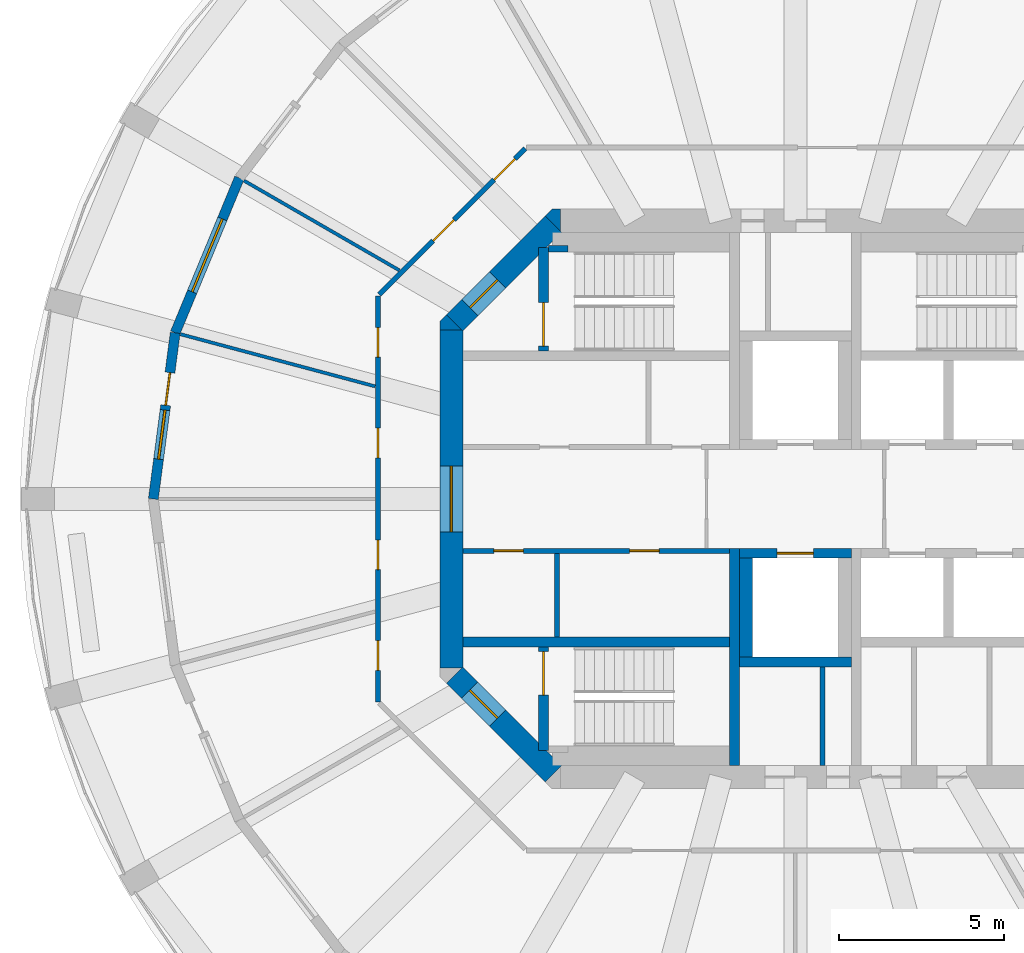
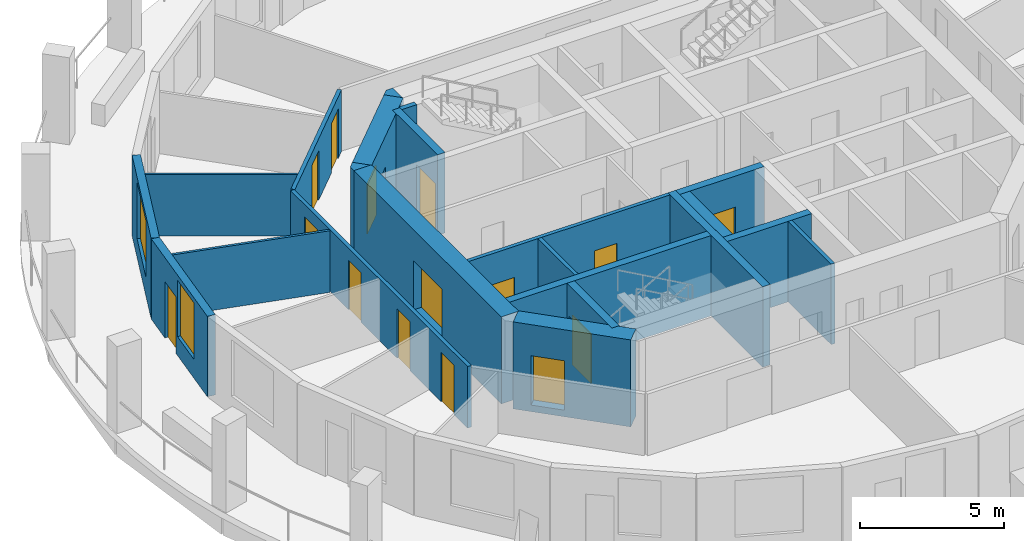
# One storey, part 3 of 8: 22 walls, 15 doors, 2 windows, 17 openings.
"""IFC4 building model written with IfcOpenShell, lengths in metres."""

from ifc_helpers import new_model, si_unit, direction, frame, frame_2d, origin, place, context, subcontext, project, spatial, polyline, rectangle, outline, extrude, material, layer, layer_set, type_object, element, fill, save


model = new_model("IFC4")

# Units and contexts
model_context = context("Model", 3, precision=1e-05, world=origin(), true_north=direction((0.0, 1.0)))
body_context = subcontext(model_context, "Body", "Model", "MODEL_VIEW")
ifc_project = project(units=[si_unit("LENGTHUNIT", "METRE"), si_unit("AREAUNIT", "SQUARE_METRE"), si_unit("VOLUMEUNIT", "CUBIC_METRE"), si_unit("PLANEANGLEUNIT", "RADIAN"), si_unit("MASSUNIT", "GRAM", prefix="KILO")], contexts=[model_context])

# Site, building, storey
site_placement = place(None, origin())
site = spatial("IfcSite", under=ifc_project, at=site_placement, CompositionType="ELEMENT")
building_placement = place(site_placement, origin())
building = spatial("IfcBuilding", under=site, at=building_placement, Name="Torre Triforio", CompositionType="ELEMENT")
storey_placement = place(building_placement, frame((0.0, 0.0, 196.5)))
storey = spatial("IfcBuildingStorey", under=building, at=storey_placement, Name="L44", CompositionType="ELEMENT", Elevation=196.5)

# Wall
ifc_material_1 = material(Name="Concrete C50", Category="concrete")
ifc_layer_1 = layer(ifc_material_1, 0.300048828125)
ifc_layer_set_1 = layer_set([ifc_layer_1], Name="Concrete C50")
wall_type_1 = type_object("IfcWallType", Name="Core wall 300 mm C50 EI 120", PredefinedType="SHEAR", material=ifc_layer_set_1)
wall_1_placement = place(storey_placement, frame((-1.85009765625, -8.10009765625, 0.0), z_axis=(0.0, 0.0, 1.0), x_axis=(0.0, 1.0, 0.0)))
element("IfcWall", 1, at=wall_1_placement, inside=storey, type_object=wall_type_1, Name="Core wall", PredefinedType="SHEAR", context=body_context, shape_type="SweptSolid", body=[
    extrude(rectangle(XDim=6.60009765625, YDim=0.300048828125, at=frame_2d((3.300048828125, 0.0))), origin(), (0.0, 0.0, 1.0), 3.419921875),
])

# Wall, opening, door
ifc_layer_2 = layer(ifc_material_1, 0.699951171875)
ifc_layer_set_2 = layer_set([ifc_layer_2], Name="Concrete C50")
wall_type_2 = type_object("IfcWallType", Name="Core wall 700 mm C50 EI 120", PredefinedType="SHEAR", material=ifc_layer_set_2)
wall_2_placement = place(storey_placement, frame((-10.449951171875, -5.1298828125, -0.280029296875), z_axis=(0.0, 0.0, 1.0), x_axis=(0.0, 1.0, 0.0)))
wall_2 = element("IfcWall", 2, at=wall_2_placement, inside=storey, type_object=wall_type_2, Name="Core wall", PredefinedType="SHEAR", context=body_context, shape_type="SweptSolid", body=[
    extrude(rectangle(XDim=10.259765625, YDim=0.699951171875, at=frame_2d((5.1298828125, 0.0))), origin(), (0.0, 0.0, 1.0), 3.699951171875),
])
opening_1_placement = place(wall_2_placement, frame((4.1298828125, 0.0, 0.280029296875)))
opening_1 = element("IfcOpeningElement", 3, at=opening_1_placement, cuts=wall_2, Name="Opening W-RING", PredefinedType="OPENING", context=body_context, shape_type="SweptSolid", body=[
    extrude(rectangle(XDim=2.0, YDim=2.10009765625, at=frame_2d((1.0, 1.050048828125))), frame((0.0, 0.35986328125, 0.0), z_axis=(0.0, -1.0, 0.0), x_axis=(1.0, 0.0, 0.0)), (0.0, 0.0, 1.0), 0.719970703125),
])
ifc_material_2 = material(Name="Hollow metal fire door leaf")
door_type_1 = type_object("IfcDoorType", Name="Lobby door 2000 x 2100 EI 60", OperationType="DOUBLE_DOOR_SINGLE_SWING", PredefinedType="DOOR", material=ifc_material_2)
door_1_placement = place(opening_1_placement, origin())
door_1 = element("IfcDoor", 4, at=door_1_placement, inside=storey, type_object=door_type_1, Name="Core door W-RING", OperationType="DOUBLE_DOOR_SINGLE_SWING", OverallHeight=2.10009765625, OverallWidth=2.0, PredefinedType="DOOR", context=body_context, shape_type="SweptSolid", body=[
    extrude(rectangle(XDim=2.0, YDim=2.10009765625, at=frame_2d((1.0, 1.050048828125))), frame((0.0, 0.02490234375, 0.0), z_axis=(0.0, -1.0, 0.0), x_axis=(1.0, 0.0, 0.0)), (0.0, 0.0, 1.0), 0.050048828125),
])
fill(opening_1, door_1)

wall_3_placement = place(storey_placement, frame((-10.347412109375, 5.347412109375, -0.280029296875), z_axis=(0.0, 0.0, 1.0), x_axis=(0.707106781187, 0.707106781187, 0.0)))
wall_3 = element("IfcWall", 5, at=wall_3_placement, inside=storey, type_object=wall_type_2, Name="Core wall", PredefinedType="SHEAR", context=body_context, shape_type="SweptSolid", body=[
    extrude(rectangle(XDim=4.24267578125, YDim=0.699951171875, at=frame_2d((2.121337890625, 0.0))), origin(), (0.0, 0.0, 1.0), 3.699951171875),
])
opening_2_placement = place(wall_3_placement, frame((0.64990234375, 0.0, 0.280029296875)))
opening_2 = element("IfcOpeningElement", 6, at=opening_2_placement, cuts=wall_3, Name="Opening ST1-EXIT", PredefinedType="OPENING", context=body_context, shape_type="SweptSolid", body=[
    extrude(rectangle(XDim=1.199951171875, YDim=2.10009765625, at=frame_2d((0.60009765625, 1.050048828125))), frame((0.0, 0.35986328125, 0.0), z_axis=(0.0, -1.0, 0.0), x_axis=(1.0, 0.0, 0.0)), (0.0, 0.0, 1.0), 0.719970703125),
])
door_type_2 = type_object("IfcDoorType", Name="Stair lobby door 1200 x 2100 EI 60", OperationType="NOTDEFINED", PredefinedType="DOOR", material=ifc_material_2)
door_2_placement = place(opening_2_placement, origin())
door_2 = element("IfcDoor", 7, at=door_2_placement, inside=storey, type_object=door_type_2, Name="Core door ST1-EXIT", OperationType="SINGLE_SWING_RIGHT", OverallHeight=2.10009765625, OverallWidth=1.199951171875, PredefinedType="DOOR", context=body_context, shape_type="SweptSolid", body=[
    extrude(rectangle(XDim=1.199951171875, YDim=2.10009765625, at=frame_2d((0.60009765625, 1.050048828125))), frame((0.0, 0.02490234375, 0.0), z_axis=(0.0, -1.0, 0.0), x_axis=(1.0, 0.0, 0.0)), (0.0, 0.0, 1.0), 0.050048828125),
])
fill(opening_2, door_2)

wall_4_placement = place(storey_placement, frame((-7.347412109375, -8.347412109375, -0.280029296875), z_axis=(0.0, 0.0, 1.0), x_axis=(-0.707106781187, 0.707106781187, 0.0)))
wall_4 = element("IfcWall", 8, at=wall_4_placement, inside=storey, type_object=wall_type_2, Name="Core wall", PredefinedType="SHEAR", context=body_context, shape_type="SweptSolid", body=[
    extrude(rectangle(XDim=4.24267578125, YDim=0.699951171875, at=frame_2d((2.121337890625, 0.0))), origin(), (0.0, 0.0, 1.0), 3.699951171875),
])
opening_3_placement = place(wall_4_placement, frame((2.392578125, 0.0, 0.280029296875)))
opening_3 = element("IfcOpeningElement", 9, at=opening_3_placement, cuts=wall_4, Name="Opening ST3-EXIT", PredefinedType="OPENING", context=body_context, shape_type="SweptSolid", body=[
    extrude(rectangle(XDim=1.199951171875, YDim=2.10009765625, at=frame_2d((0.60009765625, 1.050048828125))), frame((0.0, 0.35986328125, 0.0), z_axis=(0.0, -1.0, 0.0), x_axis=(1.0, 0.0, 0.0)), (0.0, 0.0, 1.0), 0.719970703125),
])
door_3_placement = place(opening_3_placement, origin())
door_3 = element("IfcDoor", 10, at=door_3_placement, inside=storey, type_object=door_type_2, Name="Core door ST3-EXIT", OperationType="SINGLE_SWING_RIGHT", OverallHeight=2.10009765625, OverallWidth=1.199951171875, PredefinedType="DOOR", context=body_context, shape_type="SweptSolid", body=[
    extrude(rectangle(XDim=1.199951171875, YDim=2.10009765625, at=frame_2d((0.60009765625, 1.050048828125))), frame((0.0, 0.02490234375, 0.0), z_axis=(0.0, -1.0, 0.0), x_axis=(1.0, 0.0, 0.0)), (0.0, 0.0, 1.0), 0.050048828125),
])
fill(opening_3, door_3)

# Walls
wall_5_placement = place(storey_placement, frame((0.0, 0.0, -0.280029296875)))
element("IfcWall", 11, at=wall_5_placement, inside=storey, type_object=wall_type_2, Name="Core wall", PredefinedType="SHEAR", context=body_context, shape_type="SweptSolid", body=[
    extrude(outline(polyline([(-10.594970703125, 5.594970703125), (-10.594970703125, 5.594970703125), (-10.594970703125, 5.594970703125), (-10.1298828125, 5.1298828125), (-10.800048828125, 5.1298828125), (-10.800048828125, 5.1298828125), (-10.800048828125, 5.389892578125), (-10.594970703125, 5.594970703125)])), origin(), (0.0, 0.0, 1.0), 3.699951171875),
])
wall_6_placement = place(storey_placement, frame((0.0, 0.0, -0.280029296875)))
element("IfcWall", 12, at=wall_6_placement, inside=storey, type_object=wall_type_2, Name="Core wall", PredefinedType="SHEAR", context=body_context, shape_type="SweptSolid", body=[
    extrude(outline(polyline([(-7.389892578125, 8.800048828125), (-7.1298828125, 8.800048828125), (-7.1298828125, 8.800048828125), (-7.1298828125, 8.1298828125), (-7.594970703125, 8.594970703125), (-7.594970703125, 8.594970703125), (-7.594970703125, 8.594970703125), (-7.389892578125, 8.800048828125)])), origin(), (0.0, 0.0, 1.0), 3.699951171875),
])

# Wall, openings, doors
ifc_material_3 = material(Name="Plasterboard on metal studs")
ifc_layer_3 = layer(ifc_material_3, 0.14990234375)
ifc_layer_set_3 = layer_set([ifc_layer_3], Name="Plasterboard on metal studs")
wall_type_3 = type_object("IfcWallType", Name="Corridor and tenancy wall 150 mm EI 60", PredefinedType="PARTITIONING", material=ifc_layer_set_3)
wall_7_placement = place(storey_placement, frame((-12.675048828125, -6.16650390625, 0.0), z_axis=(0.0, 0.0, 1.0), x_axis=(0.0, 1.0, 0.0)))
wall_7 = element("IfcWall", 13, at=wall_7_placement, inside=storey, type_object=wall_type_3, Name="Partition 5", PredefinedType="PARTITIONING", context=body_context, shape_type="SweptSolid", body=[
    extrude(rectangle(XDim=12.3330078125, YDim=0.14990234375, at=frame_2d((6.16650390625, 0.0))), origin(), (0.0, 0.0, 1.0), 2.6201171875),
])
opening_4_placement = place(wall_7_placement, frame((10.47314453125, 0.0, 0.0)))
opening_4 = element("IfcOpeningElement", 14, at=opening_4_placement, cuts=wall_7, Name="Opening O4-04", PredefinedType="OPENING", context=body_context, shape_type="SweptSolid", body=[
    extrude(rectangle(XDim=0.89990234375, YDim=2.10009765625, at=frame_2d((0.449951171875, 1.050048828125))), frame((0.0, 0.0849609375, 0.0), z_axis=(0.0, -1.0, 0.0), x_axis=(1.0, 0.0, 0.0)), (0.0, 0.0, 1.0), 0.169921875),
])
opening_5_placement = place(wall_7_placement, frame((7.41552734375, 0.0, 0.0)))
opening_5 = element("IfcOpeningElement", 15, at=opening_5_placement, cuts=wall_7, Name="Opening O4-05", PredefinedType="OPENING", context=body_context, shape_type="SweptSolid", body=[
    extrude(rectangle(XDim=0.89990234375, YDim=2.10009765625, at=frame_2d((0.449951171875, 1.050048828125))), frame((0.0, 0.0849609375, 0.0), z_axis=(0.0, -1.0, 0.0), x_axis=(1.0, 0.0, 0.0)), (0.0, 0.0, 1.0), 0.169921875),
])
opening_6_placement = place(wall_7_placement, frame((4.017578125, 0.0, 0.0)))
opening_6 = element("IfcOpeningElement", 16, at=opening_6_placement, cuts=wall_7, Name="Opening O4-06", PredefinedType="OPENING", context=body_context, shape_type="SweptSolid", body=[
    extrude(rectangle(XDim=0.89990234375, YDim=2.10009765625, at=frame_2d((0.449951171875, 1.050048828125))), frame((0.0, 0.0849609375, 0.0), z_axis=(0.0, -1.0, 0.0), x_axis=(1.0, 0.0, 0.0)), (0.0, 0.0, 1.0), 0.169921875),
])
opening_7_placement = place(wall_7_placement, frame((0.960205078125, 0.0, 0.0)))
opening_7 = element("IfcOpeningElement", 17, at=opening_7_placement, cuts=wall_7, Name="Opening O4-07", PredefinedType="OPENING", context=body_context, shape_type="SweptSolid", body=[
    extrude(rectangle(XDim=0.89990234375, YDim=2.10009765625, at=frame_2d((0.449951171875, 1.050048828125))), frame((0.0, 0.0849609375, 0.0), z_axis=(0.0, -1.0, 0.0), x_axis=(1.0, 0.0, 0.0)), (0.0, 0.0, 1.0), 0.169921875),
])
ifc_material_4 = material(Name="Timber", Category="wood")
door_type_3 = type_object("IfcDoorType", Name="Door 900 x 2100 single leaf EI 30", OperationType="NOTDEFINED", PredefinedType="DOOR", material=ifc_material_4)
door_4_placement = place(opening_4_placement, origin())
door_4 = element("IfcDoor", 18, at=door_4_placement, inside=storey, type_object=door_type_3, Name="Door O4-04", OperationType="SINGLE_SWING_LEFT", OverallHeight=2.10009765625, OverallWidth=0.89990234375, PredefinedType="DOOR", context=body_context, shape_type="SweptSolid", body=[
    extrude(rectangle(XDim=0.89990234375, YDim=2.10009765625, at=frame_2d((0.449951171875, 1.050048828125))), frame((0.0, 0.02490234375, 0.0), z_axis=(0.0, -1.0, 0.0), x_axis=(1.0, 0.0, 0.0)), (0.0, 0.0, 1.0), 0.050048828125),
])
fill(opening_4, door_4)
door_5_placement = place(opening_5_placement, origin())
door_5 = element("IfcDoor", 19, at=door_5_placement, inside=storey, type_object=door_type_3, Name="Door O4-05", OperationType="SINGLE_SWING_LEFT", OverallHeight=2.10009765625, OverallWidth=0.89990234375, PredefinedType="DOOR", context=body_context, shape_type="SweptSolid", body=[
    extrude(rectangle(XDim=0.89990234375, YDim=2.10009765625, at=frame_2d((0.449951171875, 1.050048828125))), frame((0.0, 0.02490234375, 0.0), z_axis=(0.0, -1.0, 0.0), x_axis=(1.0, 0.0, 0.0)), (0.0, 0.0, 1.0), 0.050048828125),
])
fill(opening_5, door_5)
door_6_placement = place(opening_6_placement, origin())
door_6 = element("IfcDoor", 20, at=door_6_placement, inside=storey, type_object=door_type_3, Name="Door O4-06", OperationType="SINGLE_SWING_LEFT", OverallHeight=2.10009765625, OverallWidth=0.89990234375, PredefinedType="DOOR", context=body_context, shape_type="SweptSolid", body=[
    extrude(rectangle(XDim=0.89990234375, YDim=2.10009765625, at=frame_2d((0.449951171875, 1.050048828125))), frame((0.0, 0.02490234375, 0.0), z_axis=(0.0, -1.0, 0.0), x_axis=(1.0, 0.0, 0.0)), (0.0, 0.0, 1.0), 0.050048828125),
])
fill(opening_6, door_6)
door_7_placement = place(opening_7_placement, origin())
door_7 = element("IfcDoor", 21, at=door_7_placement, inside=storey, type_object=door_type_3, Name="Door O4-07", OperationType="SINGLE_SWING_LEFT", OverallHeight=2.10009765625, OverallWidth=0.89990234375, PredefinedType="DOOR", context=body_context, shape_type="SweptSolid", body=[
    extrude(rectangle(XDim=0.89990234375, YDim=2.10009765625, at=frame_2d((0.449951171875, 1.050048828125))), frame((0.0, 0.02490234375, 0.0), z_axis=(0.0, -1.0, 0.0), x_axis=(1.0, 0.0, 0.0)), (0.0, 0.0, 1.0), 0.050048828125),
])
fill(opening_7, door_7)

wall_8_placement = place(storey_placement, frame((-12.637939453125, 6.20361328125, 0.0), z_axis=(0.0, 0.0, 1.0), x_axis=(0.707106781187, 0.707106781187, 0.0)))
wall_8 = element("IfcWall", 22, at=wall_8_placement, inside=storey, type_object=wall_type_3, Name="Partition 6", PredefinedType="PARTITIONING", context=body_context, shape_type="SweptSolid", body=[
    extrude(rectangle(XDim=6.27099609375, YDim=0.14990234375, at=frame_2d((3.135498046875, 0.0))), origin(), (0.0, 0.0, 1.0), 2.6201171875),
])
opening_8_placement = place(wall_8_placement, frame((4.935302734375, 0.0, 0.0)))
opening_8 = element("IfcOpeningElement", 23, at=opening_8_placement, cuts=wall_8, Name="Opening O4-02", PredefinedType="OPENING", context=body_context, shape_type="SweptSolid", body=[
    extrude(rectangle(XDim=0.89990234375, YDim=2.10009765625, at=frame_2d((0.449951171875, 1.050048828125))), frame((0.0, 0.0849609375, 0.0), z_axis=(0.0, -1.0, 0.0), x_axis=(1.0, 0.0, 0.0)), (0.0, 0.0, 1.0), 0.169921875),
])
opening_9_placement = place(wall_8_placement, frame((2.313720703125, 0.0, 0.0)))
opening_9 = element("IfcOpeningElement", 24, at=opening_9_placement, cuts=wall_8, Name="Opening O4-03", PredefinedType="OPENING", context=body_context, shape_type="SweptSolid", body=[
    extrude(rectangle(XDim=0.89990234375, YDim=2.10009765625, at=frame_2d((0.449951171875, 1.050048828125))), frame((0.0, 0.0849609375, 0.0), z_axis=(0.0, -1.0, 0.0), x_axis=(1.0, 0.0, 0.0)), (0.0, 0.0, 1.0), 0.169921875),
])
door_8_placement = place(opening_8_placement, origin())
door_8 = element("IfcDoor", 25, at=door_8_placement, inside=storey, type_object=door_type_3, Name="Door O4-02", OperationType="SINGLE_SWING_LEFT", OverallHeight=2.10009765625, OverallWidth=0.89990234375, PredefinedType="DOOR", context=body_context, shape_type="SweptSolid", body=[
    extrude(rectangle(XDim=0.89990234375, YDim=2.10009765625, at=frame_2d((0.449951171875, 1.050048828125))), frame((0.0, 0.02490234375, 0.0), z_axis=(0.0, -1.0, 0.0), x_axis=(1.0, 0.0, 0.0)), (0.0, 0.0, 1.0), 0.050048828125),
])
fill(opening_8, door_8)
door_9_placement = place(opening_9_placement, origin())
door_9 = element("IfcDoor", 26, at=door_9_placement, inside=storey, type_object=door_type_3, Name="Door O4-03", OperationType="SINGLE_SWING_LEFT", OverallHeight=2.10009765625, OverallWidth=0.89990234375, PredefinedType="DOOR", context=body_context, shape_type="SweptSolid", body=[
    extrude(rectangle(XDim=0.89990234375, YDim=2.10009765625, at=frame_2d((0.449951171875, 1.050048828125))), frame((0.0, 0.02490234375, 0.0), z_axis=(0.0, -1.0, 0.0), x_axis=(1.0, 0.0, 0.0)), (0.0, 0.0, 1.0), 0.050048828125),
])
fill(opening_9, door_9)

# Walls
ifc_layer_4 = layer(ifc_material_3, 0.10009765625)
ifc_layer_set_4 = layer_set([ifc_layer_4], Name="Plasterboard on metal studs")
wall_type_4 = type_object("IfcWallType", Name="Partition 100 mm board on metal studs", PredefinedType="PARTITIONING", material=ifc_layer_set_4)
wall_9_placement = place(storey_placement, frame((-12.025146484375, 6.94287109375, 0.0), z_axis=(0.0, 0.0, 1.0), x_axis=(-0.866029712004, 0.499992537871, 0.0)))
element("IfcWall", 27, at=wall_9_placement, inside=storey, type_object=wall_type_4, Name="Partition 16", PredefinedType="PARTITIONING", context=body_context, shape_type="SweptSolid", body=[
    extrude(rectangle(XDim=5.451171875, YDim=0.10009765625, at=frame_2d((2.7255859375, 0.0))), origin(), (0.0, 0.0, 1.0), 2.6201171875),
])
wall_10_placement = place(storey_placement, frame((-12.764404296875, 3.420166015625, 0.0), z_axis=(0.0, 0.0, 1.0), x_axis=(-0.965925800266, 0.258819142221, 0.0)))
element("IfcWall", 28, at=wall_10_placement, inside=storey, type_object=wall_type_4, Name="Partition 17", PredefinedType="PARTITIONING", context=body_context, shape_type="SweptSolid", body=[
    extrude(rectangle(XDim=6.121826171875, YDim=0.10009765625, at=frame_2d((3.06103515625, 0.0))), origin(), (0.0, 0.0, 1.0), 2.6201171875),
])
ifc_material_5 = material(Name="Block and board partition")
ifc_layer_5 = layer(ifc_material_5, 0.14990234375)
ifc_layer_set_5 = layer_set([ifc_layer_5], Name="Block and board partition")
wall_type_5 = type_object("IfcWallType", Name="Partition 150 mm", PredefinedType="PARTITIONING", material=ifc_layer_set_5)
wall_11_placement = place(storey_placement, frame((-7.242431640625, -4.199951171875, 0.0), z_axis=(0.0, 0.0, 1.0), x_axis=(0.0, 1.0, 0.0)))
element("IfcWall", 29, at=wall_11_placement, inside=storey, type_object=wall_type_5, Name="Partition", PredefinedType="PARTITIONING", context=body_context, shape_type="SweptSolid", body=[
    extrude(rectangle(XDim=2.550048828125, YDim=0.14990234375, at=frame_2d((1.27490234375, 0.0))), origin(), (0.0, 0.0, 1.0), 3.419921875),
])
ifc_layer_6 = layer(ifc_material_5, 0.14990234375)
ifc_layer_set_6 = layer_set([ifc_layer_6], Name="Block and board partition")
wall_type_6 = type_object("IfcWallType", Name="Partition 150 mm EI 120", PredefinedType="PARTITIONING", material=ifc_layer_set_6)
wall_12_placement = place(storey_placement, frame((0.824951171875, -8.10009765625, 0.0), z_axis=(0.0, 0.0, 1.0), x_axis=(0.0, 1.0, 0.0)))
element("IfcWall", 30, at=wall_12_placement, inside=storey, type_object=wall_type_6, Name="Partition", PredefinedType="PARTITIONING", context=body_context, shape_type="SweptSolid", body=[
    extrude(rectangle(XDim=3.0, YDim=0.14990234375, at=frame_2d((1.5, 0.0))), origin(), (0.0, 0.0, 1.0), 3.419921875),
])

# Wall, openings, doors
wall_13_placement = place(storey_placement, frame((-10.10009765625, -1.574951171875, 0.0), z_axis=(0.0, 0.0, 1.0), x_axis=(1.0, 0.0, 0.0)))
wall_13 = element("IfcWall", 31, at=wall_13_placement, inside=storey, type_object=wall_type_6, Name="Partition", PredefinedType="PARTITIONING", context=body_context, shape_type="SweptSolid", body=[
    extrude(rectangle(XDim=8.10009765625, YDim=0.14990234375, at=frame_2d((4.050048828125, 0.0))), origin(), (0.0, 0.0, 1.0), 3.419921875),
])
opening_10_placement = place(wall_13_placement, frame((0.941162109375, 0.0, 0.0)))
opening_10 = element("IfcOpeningElement", 32, at=opening_10_placement, cuts=wall_13, Name="Opening FS-01", PredefinedType="OPENING", context=body_context, shape_type="SweptSolid", body=[
    extrude(rectangle(XDim=0.89990234375, YDim=2.10009765625, at=frame_2d((0.449951171875, 1.050048828125))), frame((0.0, 0.0849609375, 0.0), z_axis=(0.0, -1.0, 0.0), x_axis=(1.0, 0.0, 0.0)), (0.0, 0.0, 1.0), 0.169921875),
])
opening_11_placement = place(wall_13_placement, frame((5.066162109375, 0.0, 0.0)))
opening_11 = element("IfcOpeningElement", 33, at=opening_11_placement, cuts=wall_13, Name="Opening FS-02", PredefinedType="OPENING", context=body_context, shape_type="SweptSolid", body=[
    extrude(rectangle(XDim=0.89990234375, YDim=2.10009765625, at=frame_2d((0.449951171875, 1.050048828125))), frame((0.0, 0.0849609375, 0.0), z_axis=(0.0, -1.0, 0.0), x_axis=(1.0, 0.0, 0.0)), (0.0, 0.0, 1.0), 0.169921875),
])
door_type_4 = type_object("IfcDoorType", Name="Room door 900 x 2100 EI 60", OperationType="NOTDEFINED", PredefinedType="DOOR", material=ifc_material_2)
door_10_placement = place(opening_10_placement, origin())
door_10 = element("IfcDoor", 34, at=door_10_placement, inside=storey, type_object=door_type_4, Name="Core door FS-01", OperationType="SINGLE_SWING_LEFT", OverallHeight=2.10009765625, OverallWidth=0.89990234375, PredefinedType="DOOR", context=body_context, shape_type="SweptSolid", body=[
    extrude(rectangle(XDim=0.89990234375, YDim=2.10009765625, at=frame_2d((0.449951171875, 1.050048828125))), frame((0.0, 0.02490234375, 0.0), z_axis=(0.0, -1.0, 0.0), x_axis=(1.0, 0.0, 0.0)), (0.0, 0.0, 1.0), 0.050048828125),
])
fill(opening_10, door_10)
door_11_placement = place(opening_11_placement, origin())
door_11 = element("IfcDoor", 35, at=door_11_placement, inside=storey, type_object=door_type_4, Name="Core door FS-02", OperationType="SINGLE_SWING_LEFT", OverallHeight=2.10009765625, OverallWidth=0.89990234375, PredefinedType="DOOR", context=body_context, shape_type="SweptSolid", body=[
    extrude(rectangle(XDim=0.89990234375, YDim=2.10009765625, at=frame_2d((0.449951171875, 1.050048828125))), frame((0.0, 0.02490234375, 0.0), z_axis=(0.0, -1.0, 0.0), x_axis=(1.0, 0.0, 0.0)), (0.0, 0.0, 1.0), 0.050048828125),
])
fill(opening_11, door_11)

# Wall
ifc_layer_7 = layer(ifc_material_1, 0.300048828125)
ifc_layer_set_7 = layer_set([ifc_layer_7], Name="Concrete C50")
wall_type_7 = type_object("IfcWallType", Name="Shaft wall 300 mm C50 EI 120", PredefinedType="SOLIDWALL", material=ifc_layer_set_7)
wall_14_placement = place(storey_placement, frame((-10.10009765625, -4.35009765625, 0.0), z_axis=(0.0, 0.0, 1.0), x_axis=(1.0, 0.0, 0.0)))
element("IfcWall", 36, at=wall_14_placement, inside=storey, type_object=wall_type_7, Name="Shaft wall", PredefinedType="SOLIDWALL", context=body_context, shape_type="SweptSolid", body=[
    extrude(rectangle(XDim=8.10009765625, YDim=0.300048828125, at=frame_2d((4.050048828125, 0.0))), origin(), (0.0, 0.0, 1.0), 3.419921875),
])

# Wall, opening, door
wall_15_placement = place(storey_placement, frame((-1.699951171875, -1.64990234375, 0.0), z_axis=(0.0, 0.0, 1.0), x_axis=(1.0, 0.0, 0.0)))
wall_15 = element("IfcWall", 37, at=wall_15_placement, inside=storey, type_object=wall_type_7, Name="Shaft wall", PredefinedType="SOLIDWALL", context=body_context, shape_type="SweptSolid", body=[
    extrude(rectangle(XDim=3.39990234375, YDim=0.300048828125, at=frame_2d((1.699951171875, 0.0))), origin(), (0.0, 0.0, 1.0), 3.419921875),
])
opening_12_placement = place(wall_15_placement, frame((1.14990234375, 0.0, 0.0)))
opening_12 = element("IfcOpeningElement", 38, at=opening_12_placement, cuts=wall_15, Name="Opening LD", PredefinedType="OPENING", context=body_context, shape_type="SweptSolid", body=[
    extrude(rectangle(XDim=1.10009765625, YDim=2.10009765625, at=frame_2d((0.550048828125, 1.050048828125))), frame((0.0, 0.159912109375, 0.0), z_axis=(0.0, -1.0, 0.0), x_axis=(1.0, 0.0, 0.0)), (0.0, 0.0, 1.0), 0.320068359375),
])
door_type_5 = type_object("IfcDoorType", Name="Landing door 1100 x 2100 EI 60", OperationType="DOUBLE_DOOR_SLIDING", PredefinedType="DOOR", material=ifc_material_2)
door_12_placement = place(opening_12_placement, origin())
door_12 = element("IfcDoor", 39, at=door_12_placement, inside=storey, type_object=door_type_5, Name="Landing door FFL2", OperationType="DOUBLE_DOOR_SLIDING", OverallHeight=2.10009765625, OverallWidth=1.10009765625, PredefinedType="DOOR", context=body_context, shape_type="SweptSolid", body=[
    extrude(rectangle(XDim=1.10009765625, YDim=2.10009765625, at=frame_2d((0.550048828125, 1.050048828125))), frame((0.0, 0.02490234375, 0.0), z_axis=(0.0, -1.0, 0.0), x_axis=(1.0, 0.0, 0.0)), (0.0, 0.0, 1.0), 0.050048828125),
])
fill(opening_12, door_12)

# Walls
wall_16_placement = place(storey_placement, frame((-1.699951171875, -4.949951171875, 0.0), z_axis=(0.0, 0.0, 1.0), x_axis=(1.0, 0.0, 0.0)))
element("IfcWall", 40, at=wall_16_placement, inside=storey, type_object=wall_type_7, Name="Shaft wall", PredefinedType="SOLIDWALL", context=body_context, shape_type="SweptSolid", body=[
    extrude(rectangle(XDim=3.39990234375, YDim=0.300048828125, at=frame_2d((1.699951171875, 0.0))), origin(), (0.0, 0.0, 1.0), 3.419921875),
])
ifc_layer_8 = layer(ifc_material_1, 0.39990234375)
ifc_layer_set_8 = layer_set([ifc_layer_8], Name="Concrete C50")
wall_type_8 = type_object("IfcWallType", Name="Shaft wall 400 mm C50 EI 120", PredefinedType="SOLIDWALL", material=ifc_layer_set_8)
wall_17_placement = place(storey_placement, frame((-1.5, -4.800048828125, 0.0), z_axis=(0.0, 0.0, 1.0), x_axis=(0.0, 1.0, 0.0)))
element("IfcWall", 41, at=wall_17_placement, inside=storey, type_object=wall_type_8, Name="Shaft wall", PredefinedType="SOLIDWALL", context=body_context, shape_type="SweptSolid", body=[
    extrude(rectangle(XDim=3.0, YDim=0.39990234375, at=frame_2d((1.5, 0.0))), origin(), (0.0, 0.0, 1.0), 3.419921875),
])
ifc_layer_9 = layer(ifc_material_1, 0.199951171875)
ifc_layer_set_9 = layer_set([ifc_layer_9], Name="Concrete C50")
wall_type_9 = type_object("IfcWallType", Name="Stair wall 200 mm C50 EI 120", PredefinedType="SHEAR", material=ifc_layer_set_9)
wall_18_placement = place(storey_placement, frame((-7.5, 7.60009765625, 0.0), z_axis=(0.0, 0.0, 1.0), x_axis=(1.0, 0.0, 0.0)))
element("IfcWall", 42, at=wall_18_placement, inside=storey, type_object=wall_type_9, Name="Stair wall", PredefinedType="SHEAR", context=body_context, shape_type="SweptSolid", body=[
    extrude(rectangle(XDim=0.60009765625, YDim=0.199951171875, at=frame_2d((0.300048828125, 0.0))), origin(), (0.0, 0.0, 1.0), 3.419921875),
])

# Wall, opening, door
ifc_layer_10 = layer(ifc_material_1, 0.300048828125)
ifc_layer_set_10 = layer_set([ifc_layer_10], Name="Concrete C50")
wall_type_10 = type_object("IfcWallType", Name="Stair wall 300 mm C50 EI 120", PredefinedType="SHEAR", material=ifc_layer_set_10)
wall_19_placement = place(storey_placement, frame((-7.64990234375, 4.5, 0.0), z_axis=(0.0, 0.0, 1.0), x_axis=(0.0, 1.0, 0.0)))
wall_19 = element("IfcWall", 43, at=wall_19_placement, inside=storey, type_object=wall_type_10, Name="Stair wall", PredefinedType="SHEAR", context=body_context, shape_type="SweptSolid", body=[
    extrude(rectangle(XDim=3.139892578125, YDim=0.300048828125, at=frame_2d((1.56982421875, 0.0))), origin(), (0.0, 0.0, 1.0), 3.419921875),
])
opening_13_placement = place(wall_19_placement, frame((0.139892578125, 0.0, 0.0)))
opening_13 = element("IfcOpeningElement", 44, at=opening_13_placement, cuts=wall_19, Name="Opening ST1-STA", PredefinedType="OPENING", context=body_context, shape_type="SweptSolid", body=[
    extrude(rectangle(XDim=1.320068359375, YDim=2.10009765625, at=frame_2d((0.66015625, 1.050048828125))), frame((0.0, 0.159912109375, 0.0), z_axis=(0.0, -1.0, 0.0), x_axis=(1.0, 0.0, 0.0)), (0.0, 0.0, 1.0), 0.320068359375),
])
door_type_6 = type_object("IfcDoorType", Name="Stair door 1320 x 2100 EI 90", OperationType="DOUBLE_DOOR_SINGLE_SWING", PredefinedType="DOOR", material=ifc_material_2)
door_13_placement = place(opening_13_placement, origin())
door_13 = element("IfcDoor", 45, at=door_13_placement, inside=storey, type_object=door_type_6, Name="Core door ST1-ST", OperationType="DOUBLE_DOOR_SINGLE_SWING", OverallHeight=2.10009765625, OverallWidth=1.320068359375, PredefinedType="DOOR", context=body_context, shape_type="SweptSolid", body=[
    extrude(rectangle(XDim=1.320068359375, YDim=2.10009765625, at=frame_2d((0.66015625, 1.050048828125))), frame((0.0, 0.02490234375, 0.0), z_axis=(0.0, -1.0, 0.0), x_axis=(1.0, 0.0, 0.0)), (0.0, 0.0, 1.0), 0.050048828125),
])
fill(opening_13, door_13)

wall_20_placement = place(storey_placement, frame((-7.64990234375, -7.639892578125, 0.0), z_axis=(0.0, 0.0, 1.0), x_axis=(0.0, 1.0, 0.0)))
wall_20 = element("IfcWall", 46, at=wall_20_placement, inside=storey, type_object=wall_type_10, Name="Stair wall", PredefinedType="SHEAR", context=body_context, shape_type="SweptSolid", body=[
    extrude(rectangle(XDim=3.139892578125, YDim=0.300048828125, at=frame_2d((1.56982421875, 0.0))), origin(), (0.0, 0.0, 1.0), 3.419921875),
])
opening_14_placement = place(wall_20_placement, frame((1.679931640625, 0.0, 0.0)))
opening_14 = element("IfcOpeningElement", 47, at=opening_14_placement, cuts=wall_20, Name="Opening ST3-STA", PredefinedType="OPENING", context=body_context, shape_type="SweptSolid", body=[
    extrude(rectangle(XDim=1.320068359375, YDim=2.10009765625, at=frame_2d((0.66015625, 1.050048828125))), frame((0.0, 0.159912109375, 0.0), z_axis=(0.0, -1.0, 0.0), x_axis=(1.0, 0.0, 0.0)), (0.0, 0.0, 1.0), 0.320068359375),
])
door_14_placement = place(opening_14_placement, origin())
door_14 = element("IfcDoor", 48, at=door_14_placement, inside=storey, type_object=door_type_6, Name="Core door ST3-ST", OperationType="DOUBLE_DOOR_SINGLE_SWING", OverallHeight=2.10009765625, OverallWidth=1.320068359375, PredefinedType="DOOR", context=body_context, shape_type="SweptSolid", body=[
    extrude(rectangle(XDim=1.320068359375, YDim=2.10009765625, at=frame_2d((0.66015625, 1.050048828125))), frame((0.0, 0.02490234375, 0.0), z_axis=(0.0, -1.0, 0.0), x_axis=(1.0, 0.0, 0.0)), (0.0, 0.0, 1.0), 0.050048828125),
])
fill(opening_14, door_14)

# Wall, opening, window
ifc_material_6 = material(Name="Limestone cladding", Category="masonry")
ifc_layer_11 = layer(ifc_material_6, 0.10009765625)
ifc_material_7 = material(Name="Concrete C40", Category="concrete")
ifc_layer_12 = layer(ifc_material_7, 0.199951171875)
ifc_layer_set_11 = layer_set([ifc_layer_11, ifc_layer_12], Name="Limestone cladding / Concrete C40")
wall_type_11 = type_object("IfcWallType", Name="Stone-faced composite wall 300", PredefinedType="STANDARD", material=ifc_layer_set_11)
wall_21_placement = place(storey_placement, frame((-16.887451171875, 9.75, 0.0), z_axis=(0.0, 0.0, 1.0), x_axis=(-0.382724538613, -0.923862504675, 0.0)))
wall_21 = element("IfcWall", 49, at=wall_21_placement, inside=storey, type_object=wall_type_11, Name="External wall L44 bay 11", PredefinedType="STANDARD", context=body_context, shape_type="SweptSolid", body=[
    extrude(rectangle(XDim=5.090576171875, YDim=0.300048828125, at=frame_2d((2.54541015625, 0.0))), origin(), (0.0, 0.0, 1.0), 3.419921875),
])
opening_15_placement = place(wall_21_placement, frame((1.34521484375, 0.0, 0.800048828125)))
opening_15 = element("IfcOpeningElement", 50, at=opening_15_placement, cuts=wall_21, Name="Opening O4-W11", PredefinedType="OPENING", context=body_context, shape_type="SweptSolid", body=[
    extrude(rectangle(XDim=2.39990234375, YDim=2.39990234375, at=frame_2d((1.199951171875, 1.199951171875))), frame((0.0, 0.159912109375, 0.0), z_axis=(0.0, -1.0, 0.0), x_axis=(1.0, 0.0, 0.0)), (0.0, 0.0, 1.0), 0.320068359375),
])
ifc_material_8 = material(Name="Aluminium frame with clear double glazing", Category="aluminium")
window_type_1 = type_object("IfcWindowType", Name="Punched window 2400 x 2400", PartitioningType="DOUBLE_PANEL_VERTICAL", PredefinedType="WINDOW", material=ifc_material_8)
window_1_placement = place(opening_15_placement, origin())
window_1 = element("IfcWindow", 51, at=window_1_placement, inside=storey, type_object=window_type_1, Name="Window EWN4 L44 bay 11", OverallHeight=2.39990234375, OverallWidth=2.39990234375, PartitioningType="SINGLE_PANEL", PredefinedType="WINDOW", context=body_context, shape_type="SweptSolid", body=[
    extrude(rectangle(XDim=2.39990234375, YDim=2.39990234375, at=frame_2d((1.199951171875, 1.199951171875))), frame((0.0, 0.030029296875, 0.0), z_axis=(0.0, -1.0, 0.0), x_axis=(1.0, 0.0, 0.0)), (0.0, 0.0, 1.0), 0.06005859375),
])
fill(opening_15, window_1)

# Wall, openings, door, window
wall_22_placement = place(storey_placement, frame((-18.835693359375, 5.047119140625, 0.0), z_axis=(0.0, 0.0, 1.0), x_axis=(-0.130495451964, -0.99144890792, 0.0)))
wall_22 = element("IfcWall", 52, at=wall_22_placement, inside=storey, type_object=wall_type_11, Name="External wall L44 bay 12", PredefinedType="STANDARD", context=body_context, shape_type="SweptSolid", body=[
    extrude(rectangle(XDim=5.090576171875, YDim=0.300048828125, at=frame_2d((2.54541015625, 0.0))), origin(), (0.0, 0.0, 1.0), 3.419921875),
])
opening_16_placement = place(wall_22_placement, frame((1.22021484375, 0.0, 0.0)))
opening_16 = element("IfcOpeningElement", 53, at=opening_16_placement, cuts=wall_22, Name="Opening O4-D12", PredefinedType="OPENING", context=body_context, shape_type="SweptSolid", body=[
    extrude(rectangle(XDim=1.0, YDim=2.39990234375, at=frame_2d((0.5, 1.199951171875))), frame((0.0, 0.159912109375, 0.0), z_axis=(0.0, -1.0, 0.0), x_axis=(1.0, 0.0, 0.0)), (0.0, 0.0, 1.0), 0.320068359375),
])
opening_17_placement = place(wall_22_placement, frame((2.370361328125, 0.0, 0.800048828125)))
opening_17 = element("IfcOpeningElement", 54, at=opening_17_placement, cuts=wall_22, Name="Opening O4-W12A", PredefinedType="OPENING", context=body_context, shape_type="SweptSolid", body=[
    extrude(rectangle(XDim=1.5, YDim=2.39990234375, at=frame_2d((0.75, 1.199951171875))), frame((0.0, 0.159912109375, 0.0), z_axis=(0.0, -1.0, 0.0), x_axis=(1.0, 0.0, 0.0)), (0.0, 0.0, 1.0), 0.320068359375),
])
door_type_7 = type_object("IfcDoorType", Name="Loggia door 1000 x 2400", OperationType="NOTDEFINED", PredefinedType="DOOR", material=ifc_material_8)
door_15_placement = place(opening_16_placement, origin())
door_15 = element("IfcDoor", 55, at=door_15_placement, inside=storey, type_object=door_type_7, Name="Loggia door L44 bay 12", OperationType="SINGLE_SWING_LEFT", OverallHeight=2.39990234375, OverallWidth=1.0, PredefinedType="DOOR", context=body_context, shape_type="SweptSolid", body=[
    extrude(rectangle(XDim=1.0, YDim=2.39990234375, at=frame_2d((0.5, 1.199951171875))), frame((0.0, 0.02490234375, 0.0), z_axis=(0.0, -1.0, 0.0), x_axis=(1.0, 0.0, 0.0)), (0.0, 0.0, 1.0), 0.050048828125),
])
fill(opening_16, door_15)
window_type_2 = type_object("IfcWindowType", Name="Side window 1500 x 2400", PartitioningType="SINGLE_PANEL", PredefinedType="WINDOW", material=ifc_material_8)
window_2_placement = place(opening_17_placement, origin())
window_2 = element("IfcWindow", 56, at=window_2_placement, inside=storey, type_object=window_type_2, Name="Side window EWN14 L44 bay 12", OverallHeight=2.39990234375, OverallWidth=1.5, PartitioningType="SINGLE_PANEL", PredefinedType="WINDOW", context=body_context, shape_type="SweptSolid", body=[
    extrude(rectangle(XDim=1.5, YDim=2.39990234375, at=frame_2d((0.75, 1.199951171875))), frame((0.0, 0.030029296875, 0.0), z_axis=(0.0, -1.0, 0.0), x_axis=(1.0, 0.0, 0.0)), (0.0, 0.0, 1.0), 0.06005859375),
])
fill(opening_17, window_2)

save(model, "model.ifc")
